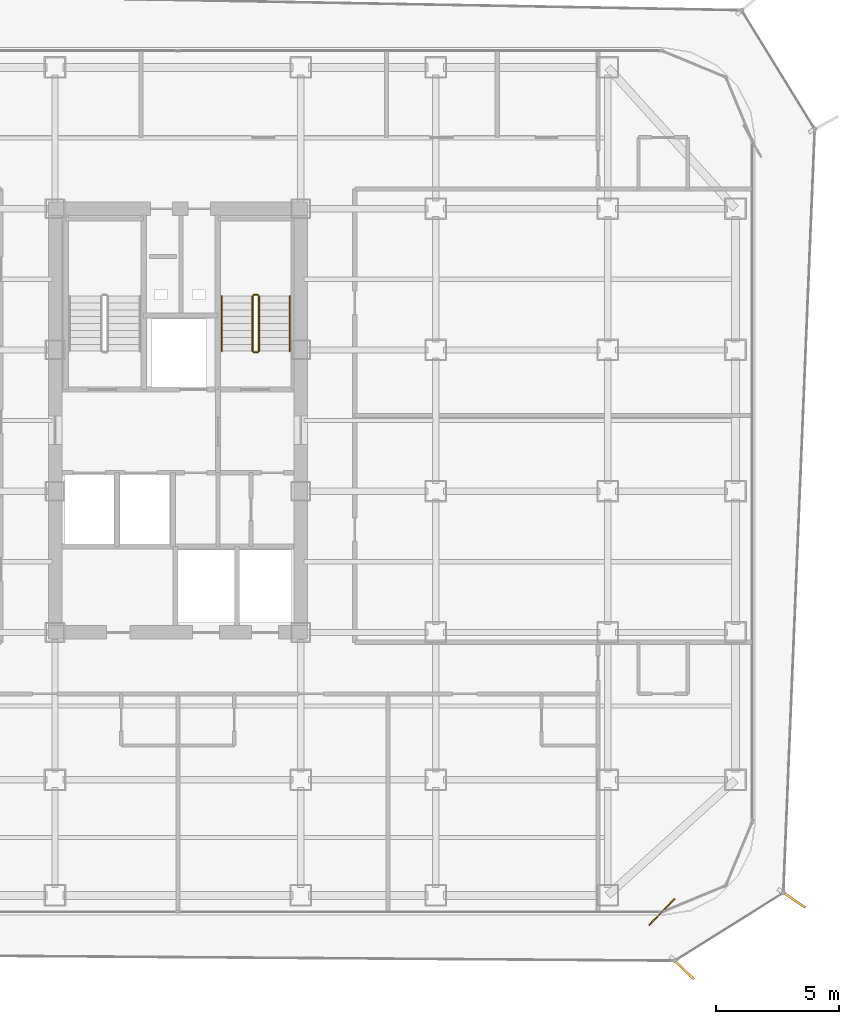
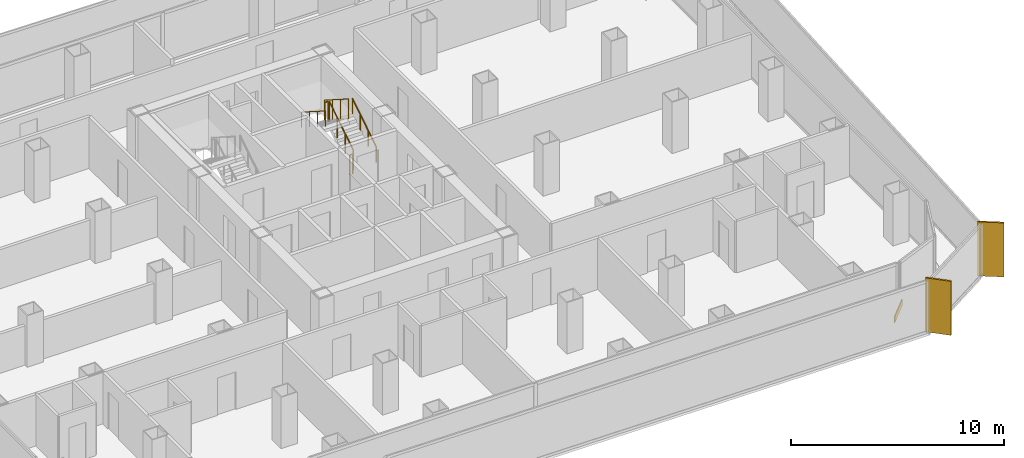
# One storey, part 20 of 21: 6 railings, 2 shading devices, 1 covering.
"""IFC4 building model written with IfcOpenShell, lengths in metres."""

from ifc_helpers import new_model, si_unit, direction, frame, origin, origin_2d, place, context, subcontext, project, spatial, rectangle, circle, extrude, source, transform, mapped, material, layer, layer_set, type_object, element, save


model = new_model("IFC4")

# Units and contexts
model_context = context("Model", 3, precision=1e-05, world=origin(), true_north=direction((0.0, 1.0)))
body_context = subcontext(model_context, "Body", "Model", "MODEL_VIEW")
ifc_project = project(units=[si_unit("LENGTHUNIT", "METRE"), si_unit("AREAUNIT", "SQUARE_METRE"), si_unit("VOLUMEUNIT", "CUBIC_METRE"), si_unit("PLANEANGLEUNIT", "RADIAN"), si_unit("MASSUNIT", "GRAM", prefix="KILO")], contexts=[model_context])

# Site, building, storey
site_placement = place(None, origin())
site = spatial("IfcSite", under=ifc_project, at=site_placement, CompositionType="ELEMENT")
building_placement = place(site_placement, origin())
building = spatial("IfcBuilding", under=site, at=building_placement, Name="Kolveth Station Tower", CompositionType="ELEMENT")
storey_placement = place(building_placement, frame((0.0, 0.0, 105.5)))
storey = spatial("IfcBuildingStorey", under=building, at=storey_placement, Name="L28", CompositionType="ELEMENT", Elevation=105.5)

# Railings
ifc_material_1 = material(Name="Painted Steel S355 balustrade", Category="steel")
railing_type_1 = type_object("IfcRailingType", Name="Guard_GR2", PredefinedType="BALUSTRADE", material=ifc_material_1)
railing_1_placement = place(storey_placement, frame((26.800048828125, 22.949951171875, 0.177734375)))
element("IfcRailing", 1, at=railing_1_placement, inside=storey, type_object=railing_type_1, Name="L28 ST2 stair guard 1", PredefinedType="BALUSTRADE", context=body_context, shape_type="SweptSolid", body=[
    extrude(circle(Radius=0.02392578125, at=origin_2d()), frame((0.0, 0.0, 1.1259765625), z_axis=(0.0, 0.84418770128, 0.536047689118), x_axis=(-1.0, 0.0, 0.0)), (0.0, 0.0, 1.0), 2.6533203125),
    extrude(circle(Radius=0.02099609375, at=origin_2d()), origin(), (0.0, 0.0, 1.0), 1.101806640625),
    extrude(circle(Radius=0.02099609375, at=origin_2d()), frame((0.0, 0.74658203125, 0.47412109375)), (0.0, 0.0, 1.0), 1.101806640625),
    extrude(circle(Radius=0.02099609375, at=origin_2d()), frame((0.0, 1.493408203125, 0.9482421875)), (0.0, 0.0, 1.0), 1.101806640625),
    extrude(circle(Radius=0.02099609375, at=origin_2d()), frame((0.0, 2.239990234375, 1.42236328125)), (0.0, 0.0, 1.0), 1.101806640625),
])
railing_2_placement = place(storey_placement, frame((26.75, 25.239990234375, 1.60009765625)))
element("IfcRailing", 2, at=railing_2_placement, inside=storey, type_object=railing_type_1, Name="L28 ST2 stair guard 2", PredefinedType="BALUSTRADE", context=body_context, shape_type="SweptSolid", body=[
    extrude(circle(Radius=0.02392578125, at=origin_2d()), frame((0.0, 0.0, 1.1259765625), z_axis=(-1.0, 0.0, 0.0), x_axis=(0.0, -1.0, 0.0)), (0.0, 0.0, 1.0), 0.159912109375),
    extrude(circle(Radius=0.02099609375, at=origin_2d()), origin(), (0.0, 0.0, 1.0), 1.101806640625),
    extrude(circle(Radius=0.02099609375, at=origin_2d()), frame((-0.159912109375, 0.0, 0.0)), (0.0, 0.0, 1.0), 1.101806640625),
])
railing_3_placement = place(storey_placement, frame((26.5400390625, 25.18994140625, 1.77783203125)))
element("IfcRailing", 3, at=railing_3_placement, inside=storey, type_object=railing_type_1, Name="L28 ST2 stair guard 3", PredefinedType="BALUSTRADE", context=body_context, shape_type="SweptSolid", body=[
    extrude(circle(Radius=0.02392578125, at=origin_2d()), frame((0.0, 0.0, 1.1259765625), z_axis=(0.0, -0.8442293374, 0.53598211339), x_axis=(1.0, 0.0, 0.0)), (0.0, 0.0, 1.0), 2.6533203125),
    extrude(circle(Radius=0.02099609375, at=origin_2d()), origin(), (0.0, 0.0, 1.0), 1.101806640625),
    extrude(circle(Radius=0.02099609375, at=origin_2d()), frame((0.0, -0.74658203125, 0.47412109375)), (0.0, 0.0, 1.0), 1.101806640625),
    extrude(circle(Radius=0.02099609375, at=origin_2d()), frame((0.0, -1.493408203125, 0.947998046875)), (0.0, 0.0, 1.0), 1.101806640625),
    extrude(circle(Radius=0.02099609375, at=origin_2d()), frame((0.0, -2.239990234375, 1.422119140625)), (0.0, 0.0, 1.0), 1.101806640625),
])
railing_4_placement = place(storey_placement, frame((26.75, 22.89990234375, 0.0)))
element("IfcRailing", 4, at=railing_4_placement, inside=storey, type_object=railing_type_1, Name="L28 ST2 stair guard 4", PredefinedType="BALUSTRADE", context=body_context, shape_type="SweptSolid", body=[
    extrude(circle(Radius=0.02392578125, at=origin_2d()), frame((0.0, 0.0, 1.1259765625), z_axis=(-1.0, 0.0, 0.0), x_axis=(0.0, -1.0, 0.0)), (0.0, 0.0, 1.0), 0.159912109375),
    extrude(circle(Radius=0.02099609375, at=origin_2d()), origin(), (0.0, 0.0, 1.0), 1.101806640625),
    extrude(circle(Radius=0.02099609375, at=origin_2d()), frame((-0.159912109375, 0.0, 0.0)), (0.0, 0.0, 1.0), 1.101806640625),
])
ifc_material_2 = material(Name="Brushed stainless steel", Category="steel")
railing_type_2 = type_object("IfcRailingType", Name="Handrail_HR1", PredefinedType="HANDRAIL", material=ifc_material_2)
railing_5_placement = place(storey_placement, frame((28.050048828125, 22.949951171875, 0.177734375)))
element("IfcRailing", 5, at=railing_5_placement, inside=storey, type_object=railing_type_2, Name="L28 ST2 stair handrail 1", PredefinedType="HANDRAIL", context=body_context, shape_type="SweptSolid", body=[
    extrude(circle(Radius=0.02392578125, at=origin_2d()), frame((0.0, 0.0, 0.8759765625), z_axis=(0.0, 0.84418770128, 0.536047689118), x_axis=(-1.0, 0.0, 0.0)), (0.0, 0.0, 1.0), 2.6533203125),
    extrude(circle(Radius=0.02099609375, at=origin_2d()), origin(), (0.0, 0.0, 1.0), 0.851806640625),
    extrude(circle(Radius=0.02099609375, at=origin_2d()), frame((0.0, 0.74658203125, 0.47412109375)), (0.0, 0.0, 1.0), 0.851806640625),
    extrude(circle(Radius=0.02099609375, at=origin_2d()), frame((0.0, 1.493408203125, 0.9482421875)), (0.0, 0.0, 1.0), 0.851806640625),
    extrude(circle(Radius=0.02099609375, at=origin_2d()), frame((0.0, 2.239990234375, 1.42236328125)), (0.0, 0.0, 1.0), 0.851806640625),
])
railing_6_placement = place(storey_placement, frame((25.2900390625, 25.18994140625, 1.77783203125)))
element("IfcRailing", 6, at=railing_6_placement, inside=storey, type_object=railing_type_2, Name="L28 ST2 stair handrail 2", PredefinedType="HANDRAIL", context=body_context, shape_type="SweptSolid", body=[
    extrude(circle(Radius=0.02392578125, at=origin_2d()), frame((0.0, 0.0, 0.8759765625), z_axis=(0.0, -0.8442293374, 0.53598211339), x_axis=(1.0, 0.0, 0.0)), (0.0, 0.0, 1.0), 2.6533203125),
    extrude(circle(Radius=0.02099609375, at=origin_2d()), origin(), (0.0, 0.0, 1.0), 0.851806640625),
    extrude(circle(Radius=0.02099609375, at=origin_2d()), frame((0.0, -0.74658203125, 0.47412109375)), (0.0, 0.0, 1.0), 0.851806640625),
    extrude(circle(Radius=0.02099609375, at=origin_2d()), frame((0.0, -1.493408203125, 0.947998046875)), (0.0, 0.0, 1.0), 0.851806640625),
    extrude(circle(Radius=0.02099609375, at=origin_2d()), frame((0.0, -2.239990234375, 1.422119140625)), (0.0, 0.0, 1.0), 0.851806640625),
])

# Shading devices
ifc_material_3 = material(Name="Black anodized aluminium 6063-T6", Category="aluminium")
shading_device_type = type_object("IfcShadingDeviceType", Name="FIN_VF1", PredefinedType="USERDEFINED", material=ifc_material_3)
shared_shape_1 = source(origin(), body_context, "Body", "SweptSolid", [
    extrude(rectangle(XDim=1.25, YDim=0.090087890625, at=origin_2d()), origin(), (0.0, 0.0, 1.0), 3.10009765625),
])
for number, where, z_axis, x_axis, name in (
    (7, (44.052001953125, -2.180908203125, 0.0), (0.0, 0.0, 1.0), (0.719582238024, -0.694407231184, 0.0), "L28 Dark-Aluminium Solar Fin 1"),
    (8, (48.52197265625, 0.65087890625, 0.0), (0.0, 0.0, 1.0), (0.827178663733, -0.5619390165, 0.0), "L28 Dark-Aluminium Solar Fin 2"),
):
    element("IfcShadingDevice", number, at=place(storey_placement, frame(where, z_axis=z_axis, x_axis=x_axis)), inside=storey, type_object=shading_device_type, Name=name, ObjectType="FIN", PredefinedType="USERDEFINED", context=body_context, shape_type="MappedRepresentation", body=[
        mapped(shared_shape_1, transform((0.0, 0.0, 0.0), x_axis=(1.0, 0.0, 0.0), y_axis=(0.0, 1.0, 0.0), z_axis=(0.0, 0.0, 1.0), scale=1.0)),
    ])

# Covering
ifc_material_4 = material(Name="Charcoal anodized aluminium spandrel cladding", Category="aluminium")
ifc_layer = layer(ifc_material_4, 0.044921875)
ifc_layer_set = layer_set([ifc_layer], Name="Charcoal anodized aluminium spandrel cladding")
covering_type = type_object("IfcCoveringType", Name="Clad_CD1", PredefinedType="CLADDING", material=ifc_layer_set)
shared_shape_2 = source(origin(), body_context, "Body", "SweptSolid", [
    extrude(rectangle(XDim=1.5, YDim=0.044921875, at=origin_2d()), origin(), (0.0, 0.0, 1.0), 0.360107421875),
])
covering_placement = place(storey_placement, frame((43.199951171875, 0.1201171875, 0.0), z_axis=(0.0, 0.0, 1.0), x_axis=(0.694407231184, 0.719582238024, 0.0)))
element("IfcCovering", 9, at=covering_placement, inside=storey, type_object=covering_type, Name="L28 Spandrel Edge Cladding 1", PredefinedType="CLADDING", context=body_context, shape_type="MappedRepresentation", body=[
    mapped(shared_shape_2, transform((0.0, 0.0, 0.0), x_axis=(1.0, 0.0, 0.0), y_axis=(0.0, 1.0, 0.0), z_axis=(0.0, 0.0, 1.0), scale=1.0)),
])

save(model, "model.ifc")
